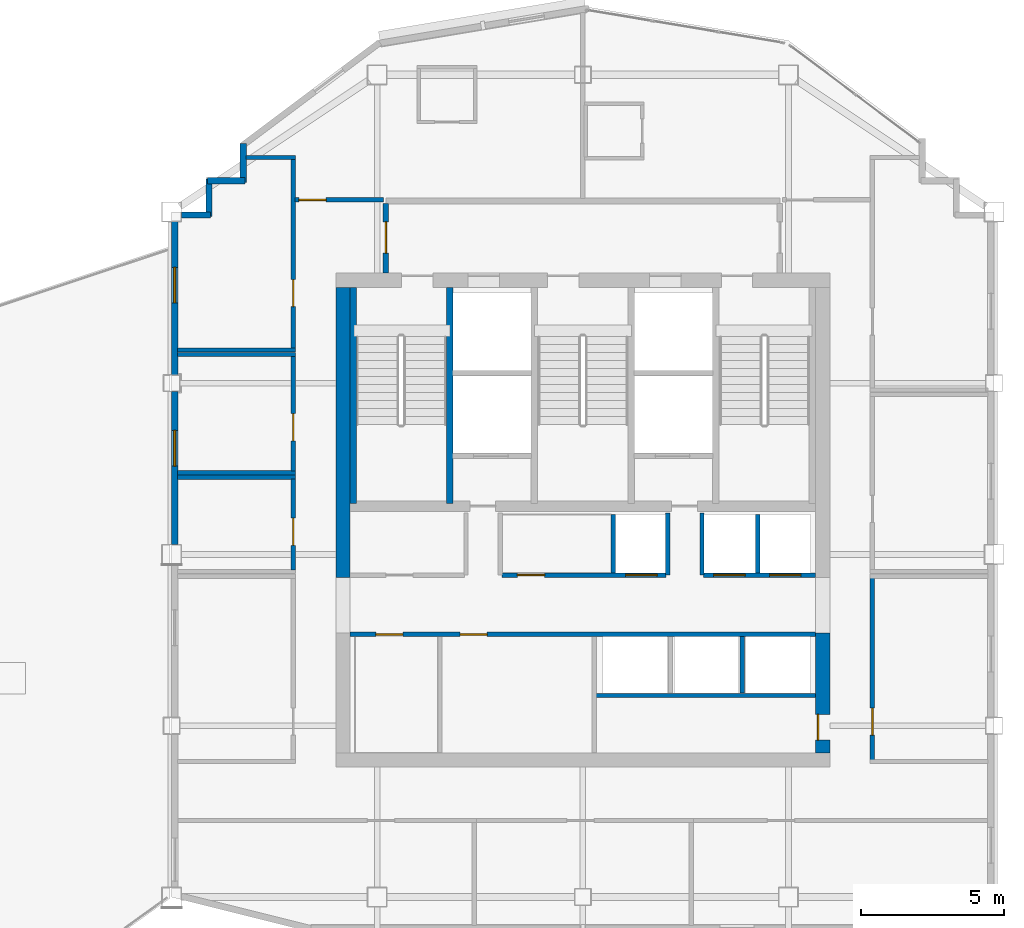
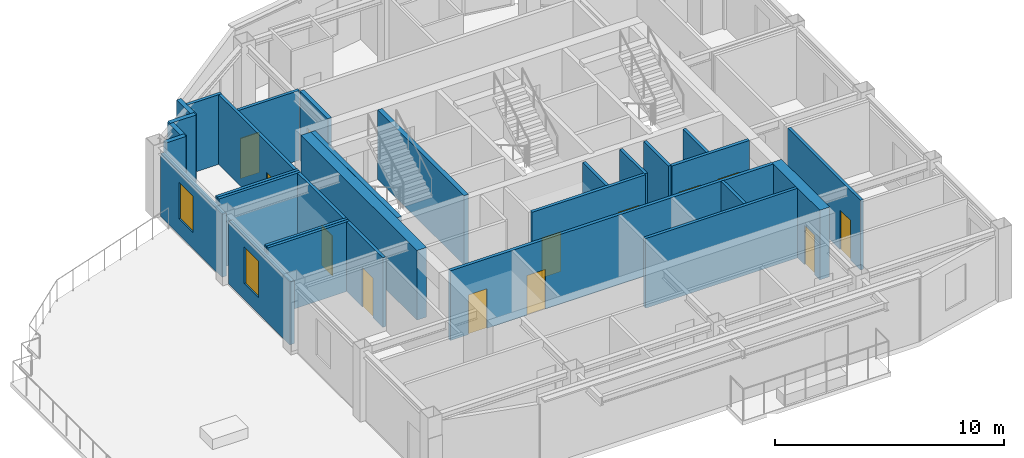
# One storey, part 8 of 12: 30 walls, 13 doors, 2 windows, 15 openings.
"""IFC4 building model written with IfcOpenShell, lengths in metres."""

import ifcopenshell
import ifcopenshell.guid

model = None  # the IFC model being written
_history = None  # IfcOwnerHistory: only IFC2X3 demands one
_inside = {}  # id of a spatial element -> (the spatial element, [elements in it])
_under = {}  # id of a project, library or spatial element -> (it, [spatial elements below it])
_declared = {}  # id of a project -> (the project, [libraries it declares])
_typed = {}  # id of a type object -> (the type object, [elements of that type])
_made_of = {}  # id of a material, layer set ... -> (it, [elements and type objects made of it])


def new_model(schema):
    """Start an empty IFC model of exactly this schema.

    Asked for "IFC4X3", IfcOpenShell would pick the latest addendum, in which some entities
    have other attributes; the version numbers below select the first issue.
    IFC2X3 requires an IfcOwnerHistory on every rooted entity: one is made here for all.
    """
    global model, _history
    if schema == "IFC4X3":
        model = ifcopenshell.file(schema_version=(4, 3, 0, 0))
    else:
        model = ifcopenshell.file(schema=schema)
    _inside.clear()
    _under.clear()
    _declared.clear()
    _typed.clear()
    _made_of.clear()
    _history = None
    if model.schema == "IFC2X3":
        org = make("IfcOrganization", Name="unknown")
        user = make(
            "IfcPersonAndOrganization",
            ThePerson=make("IfcPerson", FamilyName="unknown"),
            TheOrganization=org,
        )
        app = make(
            "IfcApplication",
            ApplicationDeveloper=org,
            Version="unknown",
            ApplicationFullName="unknown",
            ApplicationIdentifier="unknown",
        )
        _history = make(
            "IfcOwnerHistory",
            OwningUser=user,
            OwningApplication=app,
            ChangeAction="ADDED",
            CreationDate=0,
        )
    return model


def make(cls, **values):
    """One entity of the class cls with the attributes given. An attribute that is None is left unset."""
    return model.create_entity(
        cls, **{name: value for name, value in values.items() if value is not None}
    )


def rooted(cls, **values):
    """An entity with a GlobalId (a new one), such as an element, a storey or a relation."""
    return make(cls, GlobalId=ifcopenshell.guid.new(), OwnerHistory=_history, **values)


def si_unit(unit_type, name, prefix=None):
    """IfcSIUnit, for example si_unit("LENGTHUNIT", "METRE", prefix="MILLI")."""
    return make("IfcSIUnit", UnitType=unit_type, Prefix=prefix, Name=name)


def assignment(units):
    """IfcUnitAssignment: the units of a project."""
    return None if units is None else make("IfcUnitAssignment", Units=units)


def point(xyz):
    """IfcCartesianPoint."""
    return None if xyz is None else make("IfcCartesianPoint", Coordinates=xyz)


def direction(xyz):
    """IfcDirection."""
    return None if xyz is None else make("IfcDirection", DirectionRatios=xyz)


def frame(location, z_axis=None, x_axis=None):
    """IfcAxis2Placement3D, a coordinate frame: its origin and axes. An axis left out is left unset."""
    return make(
        "IfcAxis2Placement3D",
        Location=point(location),
        Axis=direction(z_axis),
        RefDirection=direction(x_axis),
    )


def frame_2d(location, x_axis=None):
    """IfcAxis2Placement2D, a coordinate frame in the plane: its origin and x axis."""
    return make(
        "IfcAxis2Placement2D", Location=point(location), RefDirection=direction(x_axis)
    )


def origin():
    """The frame at (0, 0, 0) with its axes left unset."""
    return frame((0.0, 0.0, 0.0))


def place(relative_to, where):
    """IfcLocalPlacement: puts the frame where relative to a parent placement (None: the world)."""
    return make(
        "IfcLocalPlacement", PlacementRelTo=relative_to, RelativePlacement=where
    )


def context(
    kind, dimensions, precision=None, world=None, true_north=None, identifier=None
):
    """IfcGeometricRepresentationContext, for example the 3D "Model" context."""
    return make(
        "IfcGeometricRepresentationContext",
        ContextIdentifier=identifier,
        ContextType=kind,
        CoordinateSpaceDimension=dimensions,
        Precision=precision,
        WorldCoordinateSystem=world,
        TrueNorth=true_north,
    )


def subcontext(parent, identifier, kind, view, scale=None):
    """IfcGeometricRepresentationSubContext, for example "Body" below "Model"."""
    return make(
        "IfcGeometricRepresentationSubContext",
        ContextIdentifier=identifier,
        ContextType=kind,
        ParentContext=parent,
        TargetScale=scale,
        TargetView=view,
    )


def project(units=None, contexts=None):
    """IfcProject with its units and contexts."""
    return rooted(
        "IfcProject",
        Name="project",
        RepresentationContexts=contexts,
        UnitsInContext=assignment(units),
    )


def spatial(cls, under=None, at=None, **own):
    """A site, building, storey or space (cls), placed at a placement, below another one or the project."""
    s = rooted(cls, ObjectPlacement=at, **own)
    if under is not None:
        _under.setdefault(under.id(), (under, []))[1].append(s)
    return s


def profile(cls, at=None, kind="AREA", **sizes):
    """A parametric profile (cls). Its sizes go by their IFC names, for example OverallWidth=200.0."""
    return make(cls, ProfileType=kind, Position=at, **sizes)


def rectangle(**sizes):
    """IfcRectangleProfileDef."""
    return profile("IfcRectangleProfileDef", **sizes)


def extrude(swept, where, along, depth):
    """IfcExtrudedAreaSolid: the profile swept, set in the frame where, extruded along a direction by depth."""
    return make(
        "IfcExtrudedAreaSolid",
        SweptArea=swept,
        Position=where,
        ExtrudedDirection=direction(along),
        Depth=depth,
    )


def shape(context_of_items, identifier, shape_type, items):
    """IfcShapeRepresentation: the items that make up one representation, for example the "Body"."""
    return make(
        "IfcShapeRepresentation",
        ContextOfItems=context_of_items,
        RepresentationIdentifier=identifier,
        RepresentationType=shape_type,
        Items=items,
    )


def material(Name=None, Category=None):
    """IfcMaterial."""
    return make("IfcMaterial", Name=Name, Category=Category)


def layer(
    of_material, thickness, ventilated=None, Name=None, Category=None, Priority=None
):
    """IfcMaterialLayer: one layer of a wall or slab, of a material (None: an air gap)."""
    return make(
        "IfcMaterialLayer",
        Material=of_material,
        LayerThickness=thickness,
        IsVentilated=ventilated,
        Name=Name,
        Category=Category,
        Priority=Priority,
    )


def layer_set(layers, Name=None):
    """IfcMaterialLayerSet."""
    return make("IfcMaterialLayerSet", MaterialLayers=layers, LayerSetName=Name)


def made_of(thing, what):
    """Note that an element or type object is made of a material, layer set ...; save() writes the relation."""
    if what is not None:
        _made_of.setdefault(what.id(), (what, []))[1].append(thing)
    return thing


def type_object(cls, material=None, **own):
    """A type object (cls), such as IfcWallType, which elements share."""
    return made_of(rooted(cls, **own), material)


def element(
    cls,
    number,
    at=None,
    inside=None,
    cuts=None,
    type_object=None,
    material=None,
    context=None,
    identifier="Body",
    shape_type=None,
    held_by="IfcProductDefinitionShape",
    body=None,
    shapes=None,
    **own,
):
    """One element of the class cls, such as IfcWall. Its Tag is "e" and its number.

    at: its placement. inside: the storey or other place that contains it. cuts: it is an
    opening in that element (IfcRelVoidsElement). A single representation is given by context,
    identifier, shape_type and body (its items); several are given by shapes. held_by: the class
    of the entity that holds the representations. save() writes the other relations.
    """
    e = rooted(cls, Tag="e%d" % number, ObjectPlacement=at, **own)
    if body is not None:
        shapes = [shape(context, identifier, shape_type, body)]
    if shapes is not None:
        e.Representation = make(held_by, Representations=shapes)
    if inside is not None:
        _inside.setdefault(inside.id(), (inside, []))[1].append(e)
    if cuts is not None:
        rooted(
            "IfcRelVoidsElement", RelatingBuildingElement=cuts, RelatedOpeningElement=e
        )
    if type_object is not None:
        _typed.setdefault(type_object.id(), (type_object, []))[1].append(e)
    return made_of(e, material)


def fill(opening, filler):
    """IfcRelFillsElement: the door or window that sits in an opening."""
    return rooted(
        "IfcRelFillsElement",
        RelatingOpeningElement=opening,
        RelatedBuildingElement=filler,
    )


def aggregate(whole, parts):
    """IfcRelAggregates: a whole, such as a stair, and the parts it consists of."""
    return rooted("IfcRelAggregates", RelatingObject=whole, RelatedObjects=parts)


def save(model, path):
    """Write the relations noted so far, then the file.

    IfcRelAggregates (storeys below a building ...), IfcRelContainedInSpatialStructure (elements
    in a storey), IfcRelDefinesByType, IfcRelAssociatesMaterial and IfcRelDeclares: one each for
    every whole, place, type object, material and project.
    """
    for whole, parts in _under.values():
        aggregate(whole, parts)
    for where, things in _inside.values():
        rooted(
            "IfcRelContainedInSpatialStructure",
            RelatedElements=things,
            RelatingStructure=where,
        )
    for kind, things in _typed.values():
        rooted("IfcRelDefinesByType", RelatedObjects=things, RelatingType=kind)
    for what, things in _made_of.values():
        rooted("IfcRelAssociatesMaterial", RelatedObjects=things, RelatingMaterial=what)
    for by, libraries in _declared.values():
        rooted("IfcRelDeclares", RelatingContext=by, RelatedDefinitions=libraries)
    model.write(path)


model = new_model("IFC4")

# Units and contexts
model_context = context("Model", 3, precision=1e-05, world=origin(), true_north=direction((0.0, 1.0)))
body_context = subcontext(model_context, "Body", "Model", "MODEL_VIEW")
ifc_project = project(units=[si_unit("LENGTHUNIT", "METRE"), si_unit("AREAUNIT", "SQUARE_METRE"), si_unit("VOLUMEUNIT", "CUBIC_METRE"), si_unit("PLANEANGLEUNIT", "RADIAN"), si_unit("MASSUNIT", "GRAM", prefix="KILO")], contexts=[model_context])

# Site, building, storey
site_placement = place(None, origin())
site = spatial("IfcSite", under=ifc_project, at=site_placement, CompositionType="ELEMENT")
building_placement = place(site_placement, origin())
building = spatial("IfcBuilding", under=site, at=building_placement, Name="Haolan Belvedere Tower", CompositionType="ELEMENT")
storey_placement = place(building_placement, frame((0.0, 0.0, 282.199951171875)))
storey = spatial("IfcBuildingStorey", under=building, at=storey_placement, Name="L71", CompositionType="ELEMENT", Elevation=282.199951171875)

# Wall
ifc_material_1 = material(Name="Concrete C50/60", Category="concrete")
ifc_layer_1 = layer(ifc_material_1, 0.5, Name="Concrete C50/60")
ifc_layer_set_1 = layer_set([ifc_layer_1], Name="Concrete C50/60")
wall_type_1 = type_object("IfcWallType", Name="WL-CORE-500", PredefinedType="SHEAR", material=ifc_layer_set_1)
wall_1_placement = place(storey_placement, frame((30.0, 32.800048828125, 0.0), z_axis=(0.0, 0.0, 1.0), x_axis=(0.0, 1.0, 0.0)))
element("IfcWall", 1, at=wall_1_placement, inside=storey, type_object=wall_type_1, Name="L71 central core shear wall WN", PredefinedType="SHEAR", context=body_context, shape_type="SweptSolid", body=[
    extrude(rectangle(XDim=10.14990234375, YDim=0.5, at=frame_2d((5.074951171875, 0.0))), origin(), (0.0, 0.0, 1.0), 3.719970703125),
])

# Wall, opening, door
wall_2_placement = place(storey_placement, frame((46.800048828125, 26.64990234375, 0.0), z_axis=(0.0, 0.0, 1.0), x_axis=(0.0, 1.0, 0.0)))
wall_2 = element("IfcWall", 2, at=wall_2_placement, inside=storey, type_object=wall_type_1, Name="L71 central core shear wall ES", PredefinedType="SHEAR", context=body_context, shape_type="SweptSolid", body=[
    extrude(rectangle(XDim=4.2001953125, YDim=0.5, at=frame_2d((2.10009765625, 0.0))), origin(), (0.0, 0.0, 1.0), 3.719970703125),
])
opening_1_placement = place(wall_2_placement, frame((1.349853515625, 0.0, 0.0), z_axis=(0.0, 0.0, 1.0), x_axis=(-1.0, 0.0, 0.0)))
opening_1 = element("IfcOpeningElement", 3, at=opening_1_placement, cuts=wall_2, Name="Opening FD-05", PredefinedType="OPENING", context=body_context, shape_type="SweptSolid", body=[
    extrude(rectangle(XDim=0.89990234375, YDim=2.10009765625, at=frame_2d((0.449951171875, 1.050048828125))), frame((0.0, 0.260009765625, 0.0), z_axis=(0.0, -1.0, 0.0), x_axis=(1.0, 0.0, 0.0)), (0.0, 0.0, 1.0), 0.52001953125),
])
ifc_material_2 = material(Name="Galvanised fire-rated steel", Category="steel")
door_type_1 = type_object("IfcDoorType", Name="DR-FD60-900", OperationType="NOTDEFINED", PredefinedType="DOOR", material=ifc_material_2)
door_1_placement = place(opening_1_placement, origin())
door_1 = element("IfcDoor", 4, at=door_1_placement, inside=storey, type_object=door_type_1, Name="L71 door CD-L71-SCVE", OperationType="SINGLE_SWING_RIGHT", OverallHeight=2.10009765625, OverallWidth=0.89990234375, PredefinedType="DOOR", context=body_context, shape_type="SweptSolid", body=[
    extrude(rectangle(XDim=0.89990234375, YDim=2.10009765625, at=frame_2d((0.449951171875, 1.050048828125))), frame((0.0, -0.134765625, 0.0), z_axis=(0.0, -1.0, 0.0), x_axis=(1.0, 0.0, 0.0)), (0.0, 0.0, 1.0), 0.050048828125),
])
fill(opening_1, door_1)

# Walls
ifc_material_3 = material(Name="Precast concrete C40/50", Category="concrete")
ifc_layer_2 = layer(ifc_material_3, 0.219970703125, Name="Precast concrete C40/50")
ifc_layer_set_2 = layer_set([ifc_layer_2], Name="Precast concrete C40/50")
wall_type_2 = type_object("IfcWallType", Name="WL-EXT-220", PredefinedType="SOLIDWALL", material=ifc_layer_set_2)
wall_3_placement = place(storey_placement, frame((26.510009765625, 48.0, 0.0), z_axis=(0.0, 0.0, 1.0), x_axis=(0.0, -1.0, 0.0)))
element("IfcWall", 5, at=wall_3_placement, inside=storey, type_object=wall_type_2, Name="L71 pale-metal exterior spandrel wall 12.1", PredefinedType="SOLIDWALL", context=body_context, shape_type="SweptSolid", body=[
    extrude(rectangle(XDim=1.364990234375, YDim=0.219970703125, at=frame_2d((0.6826171875, 0.0))), origin(), (0.0, 0.0, 1.0), 3.719970703125),
])
for number, where, z_axis, x_axis, name in (
    (6, (26.56494140625, 46.68994140625, 0.0), (0.0, 0.0, 1.0), (-1.0, 0.0, 0.0), "L71 pale-metal exterior spandrel wall 13.1"),
    (7, (25.31005859375, 46.7451171875, 0.0), (0.0, 0.0, 1.0), (0.0, -1.0, 0.0), "L71 pale-metal exterior spandrel wall 14.1"),
):
    element("IfcWall", number, at=place(storey_placement, frame(where, z_axis=z_axis, x_axis=x_axis)), inside=storey, type_object=wall_type_2, Name=name, PredefinedType="SOLIDWALL", context=body_context, shape_type="SweptSolid", body=[
        extrude(rectangle(XDim=1.31005859375, YDim=0.219970703125, at=frame_2d((0.655029296875, 0.0))), origin(), (0.0, 0.0, 1.0), 3.719970703125),
    ])
wall_4_placement = place(storey_placement, frame((25.364990234375, 45.489990234375, 0.0), z_axis=(0.0, 0.0, 1.0), x_axis=(-1.0, 0.0, 0.0)))
element("IfcWall", 8, at=wall_4_placement, inside=storey, type_object=wall_type_2, Name="L71 pale-metal exterior spandrel wall 15.1", PredefinedType="SOLIDWALL", context=body_context, shape_type="SweptSolid", body=[
    extrude(rectangle(XDim=1.02294921875, YDim=0.219970703125, at=frame_2d((0.511474609375, 0.0))), origin(), (0.0, 0.0, 1.0), 3.719970703125),
])

# Wall, opening, window
wall_5_placement = place(storey_placement, frame((24.110107421875, 45.258056640625, 0.0), z_axis=(0.0, 0.0, 1.0), x_axis=(0.0, -1.0, 0.0)))
wall_5 = element("IfcWall", 9, at=wall_5_placement, inside=storey, type_object=wall_type_2, Name="L71 pale-metal exterior spandrel wall 16.1", PredefinedType="SOLIDWALL", context=body_context, shape_type="SweptSolid", body=[
    extrude(rectangle(XDim=5.365966796875, YDim=0.219970703125, at=frame_2d((2.68310546875, 0.0))), origin(), (0.0, 0.0, 1.0), 3.364990234375),
])
opening_2_placement = place(wall_5_placement, frame((1.60009765625, 0.0, 0.85009765625)))
opening_2 = element("IfcOpeningElement", 10, at=opening_2_placement, cuts=wall_5, Name="Opening W-04", PredefinedType="OPENING", context=body_context, shape_type="SweptSolid", body=[
    extrude(rectangle(XDim=1.25, YDim=1.949951171875, at=frame_2d((0.625, 0.97509765625))), frame((0.0, 0.119873046875, 0.0), z_axis=(0.0, -1.0, 0.0), x_axis=(1.0, 0.0, 0.0)), (0.0, 0.0, 1.0), 0.239990234375),
])
ifc_material_4 = material(Name="Anodised aluminium 6063-T6 and Low-E glass", Category="aluminium")
window_type = type_object("IfcWindowType", Name="WN-DECO-Z4", PartitioningType="SINGLE_PANEL", PredefinedType="WINDOW", material=ifc_material_4)
window_1_placement = place(opening_2_placement, origin())
window_1 = element("IfcWindow", 11, at=window_1_placement, inside=storey, type_object=window_type, Name="L71 Art Deco chevron window 1", OverallHeight=1.949951171875, OverallWidth=1.25, PartitioningType="SINGLE_PANEL", PredefinedType="WINDOW", context=body_context, shape_type="SweptSolid", body=[
    extrude(rectangle(XDim=1.25, YDim=1.949951171875, at=frame_2d((0.625, 0.97509765625))), frame((0.0, 0.030029296875, 0.0), z_axis=(0.0, -1.0, 0.0), x_axis=(1.0, 0.0, 0.0)), (0.0, 0.0, 1.0), 0.06005859375),
])
fill(opening_2, window_1)

wall_6_placement = place(storey_placement, frame((24.110107421875, 39.30810546875, 0.0), z_axis=(0.0, 0.0, 1.0), x_axis=(0.0, -1.0, 0.0)))
wall_6 = element("IfcWall", 12, at=wall_6_placement, inside=storey, type_object=wall_type_2, Name="L71 pale-metal exterior spandrel wall 16.2", PredefinedType="SOLIDWALL", context=body_context, shape_type="SweptSolid", body=[
    extrude(rectangle(XDim=5.3662109375, YDim=0.219970703125, at=frame_2d((2.68310546875, 0.0))), origin(), (0.0, 0.0, 1.0), 3.364990234375),
])
opening_3_placement = place(wall_6_placement, frame((1.363037109375, 0.0, 0.85009765625)))
opening_3 = element("IfcOpeningElement", 13, at=opening_3_placement, cuts=wall_6, Name="Opening W-04", PredefinedType="OPENING", context=body_context, shape_type="SweptSolid", body=[
    extrude(rectangle(XDim=1.25, YDim=1.949951171875, at=frame_2d((0.625, 0.97509765625))), frame((0.0, 0.119873046875, 0.0), z_axis=(0.0, -1.0, 0.0), x_axis=(1.0, 0.0, 0.0)), (0.0, 0.0, 1.0), 0.239990234375),
])
window_2_placement = place(opening_3_placement, origin())
window_2 = element("IfcWindow", 14, at=window_2_placement, inside=storey, type_object=window_type, Name="L71 Art Deco chevron window 1", OverallHeight=1.949951171875, OverallWidth=1.25, PartitioningType="SINGLE_PANEL", PredefinedType="WINDOW", context=body_context, shape_type="SweptSolid", body=[
    extrude(rectangle(XDim=1.25, YDim=1.949951171875, at=frame_2d((0.625, 0.97509765625))), frame((0.0, 0.030029296875, 0.0), z_axis=(0.0, -1.0, 0.0), x_axis=(1.0, 0.0, 0.0)), (0.0, 0.0, 1.0), 0.06005859375),
])
fill(opening_3, window_2)

# Wall, opening, door
ifc_material_5 = material(Name="Concrete C40/50", Category="concrete")
ifc_layer_3 = layer(ifc_material_5, 0.199951171875, Name="Concrete C40/50")
ifc_layer_set_3 = layer_set([ifc_layer_3], Name="Concrete C40/50")
wall_type_3 = type_object("IfcWallType", Name="WL-FIRE-200", PredefinedType="SOLIDWALL", material=ifc_layer_set_3)
wall_7_placement = place(storey_placement, frame((31.5, 43.449951171875, 0.0), z_axis=(0.0, 0.0, 1.0), x_axis=(0.0, 1.0, 0.0)))
wall_7 = element("IfcWall", 15, at=wall_7_placement, inside=storey, type_object=wall_type_3, Name="L71 interior partition IW-L71-FFL-W", PredefinedType="SOLIDWALL", context=body_context, shape_type="SweptSolid", body=[
    extrude(rectangle(XDim=2.445068359375, YDim=0.199951171875, at=frame_2d((1.22265625, 0.0))), origin(), (0.0, 0.0, 1.0), 3.719970703125),
])
opening_4_placement = place(wall_7_placement, frame((1.800048828125, 0.0, 0.0), z_axis=(0.0, 0.0, 1.0), x_axis=(-1.0, 0.0, 0.0)))
opening_4 = element("IfcOpeningElement", 16, at=opening_4_placement, cuts=wall_7, Name="Opening FD-03", PredefinedType="OPENING", context=body_context, shape_type="SweptSolid", body=[
    extrude(rectangle(XDim=1.10009765625, YDim=2.14990234375, at=frame_2d((0.550048828125, 1.074951171875))), frame((0.0, 0.10986328125, 0.0), z_axis=(0.0, -1.0, 0.0), x_axis=(1.0, 0.0, 0.0)), (0.0, 0.0, 1.0), 0.219970703125),
])
door_type_2 = type_object("IfcDoorType", Name="DR-FD90-1100", OperationType="NOTDEFINED", PredefinedType="DOOR", material=ifc_material_2)
door_2_placement = place(opening_4_placement, origin())
door_2 = element("IfcDoor", 17, at=door_2_placement, inside=storey, type_object=door_type_2, Name="L71 door ID-L71-FFL-DW", OperationType="SINGLE_SWING_LEFT", OverallHeight=2.14990234375, OverallWidth=1.10009765625, PredefinedType="DOOR", context=body_context, shape_type="SweptSolid", body=[
    extrude(rectangle(XDim=1.10009765625, YDim=2.14990234375, at=frame_2d((0.550048828125, 1.074951171875))), frame((0.0, 0.02490234375, 0.0), z_axis=(0.0, -1.0, 0.0), x_axis=(1.0, 0.0, 0.0)), (0.0, 0.0, 1.0), 0.050048828125),
])
fill(opening_4, door_2)

# Walls
ifc_material_6 = material(Name="Double gypsum acoustic stud partition", Category="masonry")
ifc_layer_4 = layer(ifc_material_6, 0.14990234375, Name="Double gypsum acoustic stud partition")
ifc_layer_set_4 = layer_set([ifc_layer_4], Name="Double gypsum acoustic stud partition")
wall_type_4 = type_object("IfcWallType", Name="WL-PART-150", PredefinedType="PARTITIONING", material=ifc_layer_set_4)
wall_8_placement = place(storey_placement, frame((38.860107421875, 28.659912109375, 0.0), z_axis=(0.0, 0.0, 1.0), x_axis=(1.0, 0.0, 0.0)))
element("IfcWall", 18, at=wall_8_placement, inside=storey, type_object=wall_type_4, Name="L71 interior partition IW-L71-SSTRIP-E", PredefinedType="PARTITIONING", context=body_context, shape_type="SweptSolid", body=[
    extrude(rectangle(XDim=7.68994140625, YDim=0.14990234375, at=frame_2d((3.844970703125, 0.0))), origin(), (0.0, 0.0, 1.0), 3.719970703125),
])
wall_9_placement = place(storey_placement, frame((24.2119140625, 36.300048828125, 0.0), z_axis=(0.0, 0.0, 1.0), x_axis=(1.0, 0.0, 0.0)))
element("IfcWall", 19, at=wall_9_placement, inside=storey, type_object=wall_type_4, Name="L71 interior partition IW-L71-AWC-N", PredefinedType="PARTITIONING", context=body_context, shape_type="SweptSolid", body=[
    extrude(rectangle(XDim=4.128173828125, YDim=0.14990234375, at=frame_2d((2.06396484375, 0.0))), origin(), (0.0, 0.0, 1.0), 3.719970703125),
])

# Wall, opening, door
wall_10_placement = place(storey_placement, frame((28.260009765625, 33.06005859375, 0.0), z_axis=(0.0, 0.0, 1.0), x_axis=(0.0, 1.0, 0.0)))
wall_10 = element("IfcWall", 20, at=wall_10_placement, inside=storey, type_object=wall_type_4, Name="L71 interior partition IW-L71-AWC-E", PredefinedType="PARTITIONING", context=body_context, shape_type="SweptSolid", body=[
    extrude(rectangle(XDim=3.179931640625, YDim=0.14990234375, at=frame_2d((1.58984375, 0.0))), origin(), (0.0, 0.0, 1.0), 3.719970703125),
])
opening_5_placement = place(wall_10_placement, frame((1.81005859375, 0.0, 0.0), z_axis=(0.0, 0.0, 1.0), x_axis=(-1.0, 0.0, 0.0)))
opening_5 = element("IfcOpeningElement", 21, at=opening_5_placement, cuts=wall_10, Name="Opening ID-03", PredefinedType="OPENING", context=body_context, shape_type="SweptSolid", body=[
    extrude(rectangle(XDim=0.949951171875, YDim=2.1201171875, at=frame_2d((0.47509765625, 1.06005859375))), frame((0.0, 0.0849609375, 0.0), z_axis=(0.0, -1.0, 0.0), x_axis=(1.0, 0.0, 0.0)), (0.0, 0.0, 1.0), 0.169921875),
])
ifc_material_7 = material(Name="Painted solid-core timber", Category="wood")
door_type_3 = type_object("IfcDoorType", Name="DR-INT-950", OperationType="NOTDEFINED", PredefinedType="DOOR", material=ifc_material_7)
door_3_placement = place(opening_5_placement, origin())
door_3 = element("IfcDoor", 22, at=door_3_placement, inside=storey, type_object=door_type_3, Name="L71 door ID-L71-AWC", OperationType="SINGLE_SWING_LEFT", OverallHeight=2.1201171875, OverallWidth=0.949951171875, PredefinedType="DOOR", context=body_context, shape_type="SweptSolid", body=[
    extrude(rectangle(XDim=0.949951171875, YDim=2.1201171875, at=frame_2d((0.47509765625, 1.06005859375))), frame((0.0, 0.02490234375, 0.0), z_axis=(0.0, -1.0, 0.0), x_axis=(1.0, 0.0, 0.0)), (0.0, 0.0, 1.0), 0.050048828125),
])
fill(opening_5, door_3)

# Walls
for number, where, z_axis, x_axis, name in (
    (23, (24.2119140625, 40.60009765625, 0.0), (0.0, 0.0, 1.0), (1.0, 0.0, 0.0), "L71 interior partition IW-L71-PNT-N"),
    (24, (24.2119140625, 36.4599609375, 0.0), (0.0, 0.0, 1.0), (1.0, 0.0, 0.0), "L71 interior partition IW-L71-PNT-S"),
):
    element("IfcWall", number, at=place(storey_placement, frame(where, z_axis=z_axis, x_axis=x_axis)), inside=storey, type_object=wall_type_4, Name=name, PredefinedType="PARTITIONING", context=body_context, shape_type="SweptSolid", body=[
        extrude(rectangle(XDim=4.128173828125, YDim=0.14990234375, at=frame_2d((2.06396484375, 0.0))), origin(), (0.0, 0.0, 1.0), 3.719970703125),
    ])

# Wall, opening, door
wall_11_placement = place(storey_placement, frame((28.260009765625, 36.52001953125, 0.0), z_axis=(0.0, 0.0, 1.0), x_axis=(0.0, 1.0, 0.0)))
wall_11 = element("IfcWall", 25, at=wall_11_placement, inside=storey, type_object=wall_type_4, Name="L71 interior partition IW-L71-PNT-E", PredefinedType="PARTITIONING", context=body_context, shape_type="SweptSolid", body=[
    extrude(rectangle(XDim=4.02001953125, YDim=0.14990234375, at=frame_2d((2.010009765625, 0.0))), origin(), (0.0, 0.0, 1.0), 3.719970703125),
])
opening_6_placement = place(wall_11_placement, frame((2.010009765625, 0.0, 0.0), z_axis=(0.0, 0.0, 1.0), x_axis=(-1.0, 0.0, 0.0)))
opening_6 = element("IfcOpeningElement", 26, at=opening_6_placement, cuts=wall_11, Name="Opening ID-03", PredefinedType="OPENING", context=body_context, shape_type="SweptSolid", body=[
    extrude(rectangle(XDim=0.949951171875, YDim=2.1201171875, at=frame_2d((0.47509765625, 1.06005859375))), frame((0.0, 0.0849609375, 0.0), z_axis=(0.0, -1.0, 0.0), x_axis=(1.0, 0.0, 0.0)), (0.0, 0.0, 1.0), 0.169921875),
])
door_4_placement = place(opening_6_placement, origin())
door_4 = element("IfcDoor", 27, at=door_4_placement, inside=storey, type_object=door_type_3, Name="L71 door ID-L71-PNT", OperationType="SINGLE_SWING_RIGHT", OverallHeight=2.1201171875, OverallWidth=0.949951171875, PredefinedType="DOOR", context=body_context, shape_type="SweptSolid", body=[
    extrude(rectangle(XDim=0.949951171875, YDim=2.1201171875, at=frame_2d((0.47509765625, 1.06005859375))), frame((0.0, 0.02490234375, 0.0), z_axis=(0.0, -1.0, 0.0), x_axis=(1.0, 0.0, 0.0)), (0.0, 0.0, 1.0), 0.050048828125),
])
fill(opening_6, door_4)

# Walls
wall_12_placement = place(storey_placement, frame((26.612060546875, 47.5, 0.0), z_axis=(0.0, 0.0, 1.0), x_axis=(1.0, 0.0, 0.0)))
element("IfcWall", 28, at=wall_12_placement, inside=storey, type_object=wall_type_4, Name="L71 interior partition IW-L71-STY-N", PredefinedType="PARTITIONING", context=body_context, shape_type="SweptSolid", body=[
    extrude(rectangle(XDim=1.72802734375, YDim=0.14990234375, at=frame_2d((0.864013671875, 0.0))), origin(), (0.0, 0.0, 1.0), 3.719970703125),
])
wall_13_placement = place(storey_placement, frame((24.2119140625, 40.760009765625, 0.0), z_axis=(0.0, 0.0, 1.0), x_axis=(1.0, 0.0, 0.0)))
element("IfcWall", 29, at=wall_13_placement, inside=storey, type_object=wall_type_4, Name="L71 interior partition IW-L71-STY-S", PredefinedType="PARTITIONING", context=body_context, shape_type="SweptSolid", body=[
    extrude(rectangle(XDim=4.128173828125, YDim=0.14990234375, at=frame_2d((2.06396484375, 0.0))), origin(), (0.0, 0.0, 1.0), 3.719970703125),
])

# Wall, opening, door
wall_14_placement = place(storey_placement, frame((28.260009765625, 40.820068359375, 0.0), z_axis=(0.0, 0.0, 1.0), x_axis=(0.0, 1.0, 0.0)))
wall_14 = element("IfcWall", 30, at=wall_14_placement, inside=storey, type_object=wall_type_4, Name="L71 interior partition IW-L71-STY-E", PredefinedType="PARTITIONING", context=body_context, shape_type="SweptSolid", body=[
    extrude(rectangle(XDim=6.619873046875, YDim=0.14990234375, at=frame_2d((3.31005859375, 0.0))), origin(), (0.0, 0.0, 1.0), 3.719970703125),
])
opening_7_placement = place(wall_14_placement, frame((2.409912109375, 0.0, 0.0), z_axis=(0.0, 0.0, 1.0), x_axis=(-1.0, 0.0, 0.0)))
opening_7 = element("IfcOpeningElement", 31, at=opening_7_placement, cuts=wall_14, Name="Opening ID-03", PredefinedType="OPENING", context=body_context, shape_type="SweptSolid", body=[
    extrude(rectangle(XDim=0.949951171875, YDim=2.1201171875, at=frame_2d((0.47509765625, 1.06005859375))), frame((0.0, 0.0849609375, 0.0), z_axis=(0.0, -1.0, 0.0), x_axis=(1.0, 0.0, 0.0)), (0.0, 0.0, 1.0), 0.169921875),
])
door_5_placement = place(opening_7_placement, origin())
door_5 = element("IfcDoor", 32, at=door_5_placement, inside=storey, type_object=door_type_3, Name="L71 door ID-L71-STY", OperationType="SINGLE_SWING_LEFT", OverallHeight=2.1201171875, OverallWidth=0.949951171875, PredefinedType="DOOR", context=body_context, shape_type="SweptSolid", body=[
    extrude(rectangle(XDim=0.949951171875, YDim=2.1201171875, at=frame_2d((0.47509765625, 1.06005859375))), frame((0.0, 0.02490234375, 0.0), z_axis=(0.0, -1.0, 0.0), x_axis=(1.0, 0.0, 0.0)), (0.0, 0.0, 1.0), 0.050048828125),
])
fill(opening_7, door_5)

wall_15_placement = place(storey_placement, frame((48.5400390625, 26.409912109375, 0.0), z_axis=(0.0, 0.0, 1.0), x_axis=(0.0, 1.0, 0.0)))
wall_15 = element("IfcWall", 33, at=wall_15_placement, inside=storey, type_object=wall_type_4, Name="L71 interior partition IW-L71-PKTE-W", PredefinedType="PARTITIONING", context=body_context, shape_type="SweptSolid", body=[
    extrude(rectangle(XDim=6.3701171875, YDim=0.14990234375, at=frame_2d((3.18505859375, 0.0))), origin(), (0.0, 0.0, 1.0), 3.719970703125),
])
opening_8_placement = place(wall_15_placement, frame((0.860107421875, 0.0, 0.0)))
opening_8 = element("IfcOpeningElement", 34, at=opening_8_placement, cuts=wall_15, Name="Opening ID-03", PredefinedType="OPENING", context=body_context, shape_type="SweptSolid", body=[
    extrude(rectangle(XDim=0.949951171875, YDim=2.1201171875, at=frame_2d((0.47509765625, 1.06005859375))), frame((0.0, 0.0849609375, 0.0), z_axis=(0.0, -1.0, 0.0), x_axis=(1.0, 0.0, 0.0)), (0.0, 0.0, 1.0), 0.169921875),
])
door_6_placement = place(opening_8_placement, origin())
door_6 = element("IfcDoor", 35, at=door_6_placement, inside=storey, type_object=door_type_3, Name="L71 door ID-L71-PKTE", OperationType="SINGLE_SWING_RIGHT", OverallHeight=2.1201171875, OverallWidth=0.949951171875, PredefinedType="DOOR", context=body_context, shape_type="SweptSolid", body=[
    extrude(rectangle(XDim=0.949951171875, YDim=2.1201171875, at=frame_2d((0.47509765625, 1.06005859375))), frame((0.0, 0.02490234375, 0.0), z_axis=(0.0, -1.0, 0.0), x_axis=(1.0, 0.0, 0.0)), (0.0, 0.0, 1.0), 0.050048828125),
])
fill(opening_8, door_6)

wall_16_placement = place(storey_placement, frame((28.320068359375, 46.02001953125, 0.0), z_axis=(0.0, 0.0, 1.0), x_axis=(1.0, 0.0, 0.0)))
wall_16 = element("IfcWall", 36, at=wall_16_placement, inside=storey, type_object=wall_type_4, Name="L71 interior partition IW-L71-KN1-S", PredefinedType="PARTITIONING", context=body_context, shape_type="SweptSolid", body=[
    extrude(rectangle(XDim=3.094970703125, YDim=0.14990234375, at=frame_2d((1.54736328125, 0.0))), origin(), (0.0, 0.0, 1.0), 3.719970703125),
])
opening_9_placement = place(wall_16_placement, frame((0.139892578125, 0.0, 0.0)))
opening_9 = element("IfcOpeningElement", 37, at=opening_9_placement, cuts=wall_16, Name="Opening ID-02", PredefinedType="OPENING", context=body_context, shape_type="SweptSolid", body=[
    extrude(rectangle(XDim=0.949951171875, YDim=2.14990234375, at=frame_2d((0.47509765625, 1.074951171875))), frame((0.0, 0.0849609375, 0.0), z_axis=(0.0, -1.0, 0.0), x_axis=(1.0, 0.0, 0.0)), (0.0, 0.0, 1.0), 0.169921875),
])
ifc_material_8 = material(Name="Acoustic oak veneer fire-rated timber", Category="wood")
door_type_4 = type_object("IfcDoorType", Name="DR-GUEST-950", OperationType="NOTDEFINED", PredefinedType="DOOR", material=ifc_material_8)
door_7_placement = place(opening_9_placement, origin())
door_7 = element("IfcDoor", 38, at=door_7_placement, inside=storey, type_object=door_type_4, Name="L71 door ID-L71-KN1-ENT", OperationType="SINGLE_SWING_RIGHT", OverallHeight=2.14990234375, OverallWidth=0.949951171875, PredefinedType="DOOR", context=body_context, shape_type="SweptSolid", body=[
    extrude(rectangle(XDim=0.949951171875, YDim=2.14990234375, at=frame_2d((0.47509765625, 1.074951171875))), frame((0.0, 0.02490234375, 0.0), z_axis=(0.0, -1.0, 0.0), x_axis=(1.0, 0.0, 0.0)), (0.0, 0.0, 1.0), 0.050048828125),
])
fill(opening_9, door_7)

# Walls
ifc_material_9 = material(Name="Gypsum fire shaftwall assembly", Category="masonry")
ifc_layer_5 = layer(ifc_material_9, 0.1650390625, Name="Gypsum fire shaftwall assembly")
ifc_layer_set_5 = layer_set([ifc_layer_5], Name="Gypsum fire shaftwall assembly")
wall_type_5 = type_object("IfcWallType", Name="WL-SHAFT-160", PredefinedType="SOLIDWALL", material=ifc_layer_set_5)
for number, where, z_axis, x_axis, name in (
    (39, (41.3701171875, 32.8798828125, 0.0), (0.0, 0.0, 1.0), (0.0, 1.0, 0.0), "L71 interior partition IW-L71-SVP-W-SV2"),
    (40, (42.570068359375, 32.8798828125, 0.0), (0.0, 0.0, 1.0), (0.0, 1.0, 0.0), "L71 interior partition IW-L71-SVP-E-SV2"),
):
    element("IfcWall", number, at=place(storey_placement, frame(where, z_axis=z_axis, x_axis=x_axis)), inside=storey, type_object=wall_type_5, Name=name, PredefinedType="SOLIDWALL", context=body_context, shape_type="SweptSolid", body=[
        extrude(rectangle(XDim=2.170166015625, YDim=0.14990234375, at=frame_2d((1.0849609375, 0.0))), origin(), (0.0, 0.0, 1.0), 3.719970703125),
    ])

# Wall, openings, doors
wall_17_placement = place(storey_placement, frame((35.570068359375, 32.8798828125, 0.0), z_axis=(0.0, 0.0, 1.0), x_axis=(1.0, 0.0, 0.0)))
wall_17 = element("IfcWall", 41, at=wall_17_placement, inside=storey, type_object=wall_type_5, Name="L71 interior partition IW-L71-ROW-PN2", PredefinedType="SOLIDWALL", context=body_context, shape_type="SweptSolid", body=[
    extrude(rectangle(XDim=5.739990234375, YDim=0.159912109375, at=frame_2d((2.8701171875, 0.0))), origin(), (0.0, 0.0, 1.0), 3.719970703125),
])
opening_10_placement = place(wall_17_placement, frame((1.489990234375, 0.0, 0.0), z_axis=(0.0, 0.0, 1.0), x_axis=(-1.0, 0.0, 0.0)))
opening_10 = element("IfcOpeningElement", 42, at=opening_10_placement, cuts=wall_17, Name="Opening ID-03", PredefinedType="OPENING", context=body_context, shape_type="SweptSolid", body=[
    extrude(rectangle(XDim=0.949951171875, YDim=2.1201171875, at=frame_2d((0.47509765625, 1.06005859375))), frame((0.0, 0.08984375, 0.0), z_axis=(0.0, -1.0, 0.0), x_axis=(1.0, 0.0, 0.0)), (0.0, 0.0, 1.0), 0.179931640625),
])
opening_11_placement = place(wall_17_placement, frame((5.43017578125, 0.0, 0.0), z_axis=(0.0, 0.0, 1.0), x_axis=(-1.0, 0.0, 0.0)))
opening_11 = element("IfcOpeningElement", 43, at=opening_11_placement, cuts=wall_17, Name="Opening LD-01", PredefinedType="OPENING", context=body_context, shape_type="SweptSolid", body=[
    extrude(rectangle(XDim=1.10009765625, YDim=2.199951171875, at=frame_2d((0.550048828125, 1.10009765625))), frame((0.0, 0.08984375, 0.0), z_axis=(0.0, -1.0, 0.0), x_axis=(1.0, 0.0, 0.0)), (0.0, 0.0, 1.0), 0.179931640625),
])
door_8_placement = place(opening_10_placement, origin())
door_8 = element("IfcDoor", 44, at=door_8_placement, inside=storey, type_object=door_type_3, Name="L71 door ID-L71-CD-RPLE", OperationType="SINGLE_SWING_RIGHT", OverallHeight=2.1201171875, OverallWidth=0.949951171875, PredefinedType="DOOR", context=body_context, shape_type="SweptSolid", body=[
    extrude(rectangle(XDim=0.949951171875, YDim=2.1201171875, at=frame_2d((0.47509765625, 1.06005859375))), frame((0.0, 0.02490234375, 0.0), z_axis=(0.0, -1.0, 0.0), x_axis=(1.0, 0.0, 0.0)), (0.0, 0.0, 1.0), 0.050048828125),
])
fill(opening_10, door_8)
ifc_material_10 = material(Name="Brushed champagne stainless steel 316L", Category="steel")
door_type_5 = type_object("IfcDoorType", Name="DR-LIFT-1100", OperationType="SLIDING_TO_LEFT", PredefinedType="DOOR", material=ifc_material_10)
door_9_placement = place(opening_11_placement, origin())
door_9 = element("IfcDoor", 45, at=door_9_placement, inside=storey, type_object=door_type_5, Name="L71 door ID-L71-LD-PH1", OperationType="SLIDING_TO_RIGHT", OverallHeight=2.199951171875, OverallWidth=1.10009765625, PredefinedType="DOOR", context=body_context, shape_type="SweptSolid", body=[
    extrude(rectangle(XDim=1.10009765625, YDim=2.199951171875, at=frame_2d((0.550048828125, 1.10009765625))), frame((0.0, 0.02490234375, 0.0), z_axis=(0.0, -1.0, 0.0), x_axis=(1.0, 0.0, 0.0)), (0.0, 0.0, 1.0), 0.050048828125),
])
fill(opening_11, door_9)

wall_18_placement = place(storey_placement, frame((42.6298828125, 32.8798828125, 0.0), z_axis=(0.0, 0.0, 1.0), x_axis=(1.0, 0.0, 0.0)))
wall_18 = element("IfcWall", 46, at=wall_18_placement, inside=storey, type_object=wall_type_5, Name="L71 interior partition IW-L71-ROW-PN3", PredefinedType="SOLIDWALL", context=body_context, shape_type="SweptSolid", body=[
    extrude(rectangle(XDim=3.920166015625, YDim=0.159912109375, at=frame_2d((1.9599609375, 0.0))), origin(), (0.0, 0.0, 1.0), 3.719970703125),
])
opening_12_placement = place(wall_18_placement, frame((1.4501953125, 0.0, 0.0), z_axis=(0.0, 0.0, 1.0), x_axis=(-1.0, 0.0, 0.0)))
opening_12 = element("IfcOpeningElement", 47, at=opening_12_placement, cuts=wall_18, Name="Opening LD-01", PredefinedType="OPENING", context=body_context, shape_type="SweptSolid", body=[
    extrude(rectangle(XDim=1.10009765625, YDim=2.199951171875, at=frame_2d((0.550048828125, 1.10009765625))), frame((0.0, 0.08984375, 0.0), z_axis=(0.0, -1.0, 0.0), x_axis=(1.0, 0.0, 0.0)), (0.0, 0.0, 1.0), 0.179931640625),
])
opening_13_placement = place(wall_18_placement, frame((3.41015625, 0.0, 0.0), z_axis=(0.0, 0.0, 1.0), x_axis=(-1.0, 0.0, 0.0)))
opening_13 = element("IfcOpeningElement", 48, at=opening_13_placement, cuts=wall_18, Name="Opening LD-01", PredefinedType="OPENING", context=body_context, shape_type="SweptSolid", body=[
    extrude(rectangle(XDim=1.10009765625, YDim=2.199951171875, at=frame_2d((0.550048828125, 1.10009765625))), frame((0.0, 0.08984375, 0.0), z_axis=(0.0, -1.0, 0.0), x_axis=(1.0, 0.0, 0.0)), (0.0, 0.0, 1.0), 0.179931640625),
])
door_10_placement = place(opening_12_placement, origin())
door_10 = element("IfcDoor", 49, at=door_10_placement, inside=storey, type_object=door_type_5, Name="L71 door ID-L71-LD-PH2", OperationType="SLIDING_TO_RIGHT", OverallHeight=2.199951171875, OverallWidth=1.10009765625, PredefinedType="DOOR", context=body_context, shape_type="SweptSolid", body=[
    extrude(rectangle(XDim=1.10009765625, YDim=2.199951171875, at=frame_2d((0.550048828125, 1.10009765625))), frame((0.0, 0.02490234375, 0.0), z_axis=(0.0, -1.0, 0.0), x_axis=(1.0, 0.0, 0.0)), (0.0, 0.0, 1.0), 0.050048828125),
])
fill(opening_12, door_10)
door_11_placement = place(opening_13_placement, origin())
door_11 = element("IfcDoor", 50, at=door_11_placement, inside=storey, type_object=door_type_5, Name="L71 door ID-L71-LD-PH3", OperationType="SLIDING_TO_RIGHT", OverallHeight=2.199951171875, OverallWidth=1.10009765625, PredefinedType="DOOR", context=body_context, shape_type="SweptSolid", body=[
    extrude(rectangle(XDim=1.10009765625, YDim=2.199951171875, at=frame_2d((0.550048828125, 1.10009765625))), frame((0.0, 0.02490234375, 0.0), z_axis=(0.0, -1.0, 0.0), x_axis=(1.0, 0.0, 0.0)), (0.0, 0.0, 1.0), 0.050048828125),
])
fill(opening_13, door_11)

# Walls
for number, where, z_axis, x_axis, name in (
    (51, (39.469970703125, 32.949951171875, 0.0), (0.0, 0.0, 1.0), (0.0, 1.0, 0.0), "L71 interior partition IW-L71-DIV-PL4R"),
    (52, (44.530029296875, 32.949951171875, 0.0), (0.0, 0.0, 1.0), (0.0, 1.0, 0.0), "L71 interior partition IW-L71-DIV-PH2"),
):
    element("IfcWall", number, at=place(storey_placement, frame(where, z_axis=z_axis, x_axis=x_axis)), inside=storey, type_object=wall_type_5, Name=name, PredefinedType="SOLIDWALL", context=body_context, shape_type="SweptSolid", body=[
        extrude(rectangle(XDim=2.050048828125, YDim=0.14990234375, at=frame_2d((1.02490234375, 0.0))), origin(), (0.0, 0.0, 1.0), 3.719970703125),
    ])

# Wall, openings, doors
wall_19_placement = place(storey_placement, frame((30.25, 30.800048828125, 0.0), z_axis=(0.0, 0.0, 1.0), x_axis=(1.0, 0.0, 0.0)))
wall_19 = element("IfcWall", 53, at=wall_19_placement, inside=storey, type_object=wall_type_5, Name="L71 interior partition IW-L71-ROW-PS", PredefinedType="SOLIDWALL", context=body_context, shape_type="SweptSolid", body=[
    extrude(rectangle(XDim=16.300048828125, YDim=0.159912109375, at=frame_2d((8.14990234375, 0.0))), origin(), (0.0, 0.0, 1.0), 3.719970703125),
])
opening_14_placement = place(wall_19_placement, frame((0.89990234375, 0.0, 0.0)))
opening_14 = element("IfcOpeningElement", 54, at=opening_14_placement, cuts=wall_19, Name="Opening ID-03", PredefinedType="OPENING", context=body_context, shape_type="SweptSolid", body=[
    extrude(rectangle(XDim=0.949951171875, YDim=2.1201171875, at=frame_2d((0.47509765625, 1.06005859375))), frame((0.0, 0.08984375, 0.0), z_axis=(0.0, -1.0, 0.0), x_axis=(1.0, 0.0, 0.0)), (0.0, 0.0, 1.0), 0.179931640625),
])
opening_15_placement = place(wall_19_placement, frame((3.85009765625, 0.0, 0.0)))
opening_15 = element("IfcOpeningElement", 55, at=opening_15_placement, cuts=wall_19, Name="Opening ID-03", PredefinedType="OPENING", context=body_context, shape_type="SweptSolid", body=[
    extrude(rectangle(XDim=0.949951171875, YDim=2.1201171875, at=frame_2d((0.47509765625, 1.06005859375))), frame((0.0, 0.08984375, 0.0), z_axis=(0.0, -1.0, 0.0), x_axis=(1.0, 0.0, 0.0)), (0.0, 0.0, 1.0), 0.179931640625),
])
door_12_placement = place(opening_14_placement, origin())
door_12 = element("IfcDoor", 56, at=door_12_placement, inside=storey, type_object=door_type_3, Name="L71 door ID-L71-CD-RPMA", OperationType="SINGLE_SWING_LEFT", OverallHeight=2.1201171875, OverallWidth=0.949951171875, PredefinedType="DOOR", context=body_context, shape_type="SweptSolid", body=[
    extrude(rectangle(XDim=0.949951171875, YDim=2.1201171875, at=frame_2d((0.47509765625, 1.06005859375))), frame((0.0, 0.02490234375, 0.0), z_axis=(0.0, -1.0, 0.0), x_axis=(1.0, 0.0, 0.0)), (0.0, 0.0, 1.0), 0.050048828125),
])
fill(opening_14, door_12)
door_13_placement = place(opening_15_placement, origin())
door_13 = element("IfcDoor", 57, at=door_13_placement, inside=storey, type_object=door_type_3, Name="L71 door ID-L71-CD-RPMB", OperationType="SINGLE_SWING_RIGHT", OverallHeight=2.1201171875, OverallWidth=0.949951171875, PredefinedType="DOOR", context=body_context, shape_type="SweptSolid", body=[
    extrude(rectangle(XDim=0.949951171875, YDim=2.1201171875, at=frame_2d((0.47509765625, 1.06005859375))), frame((0.0, 0.02490234375, 0.0), z_axis=(0.0, -1.0, 0.0), x_axis=(1.0, 0.0, 0.0)), (0.0, 0.0, 1.0), 0.050048828125),
])
fill(opening_15, door_13)

# Walls
wall_20_placement = place(storey_placement, frame((43.97998046875, 28.75, 0.0), z_axis=(0.0, 0.0, 1.0), x_axis=(0.0, 1.0, 0.0)))
element("IfcWall", 58, at=wall_20_placement, inside=storey, type_object=wall_type_5, Name="L71 interior partition IW-L71-DIV-OB2", PredefinedType="SOLIDWALL", context=body_context, shape_type="SweptSolid", body=[
    extrude(rectangle(XDim=1.985107421875, YDim=0.14990234375, at=frame_2d((0.99267578125, 0.0))), origin(), (0.0, 0.0, 1.0), 3.719970703125),
])
ifc_layer_6 = layer(ifc_material_1, 0.219970703125, Name="Concrete C50/60")
ifc_layer_set_6 = layer_set([ifc_layer_6], Name="Concrete C50/60")
wall_type_6 = type_object("IfcWallType", Name="WL-STAIR-220", PredefinedType="SHEAR", material=ifc_layer_set_6)
for number, where, z_axis, x_axis, name in (
    (59, (30.362060546875, 35.389892578125, 0.0), (0.0, 0.0, 1.0), (0.0, 1.0, 0.0), "L71 structural stair core wall ST1W"),
    (60, (33.739990234375, 35.389892578125, 0.0), (0.0, 0.0, 1.0), (0.0, 1.0, 0.0), "L71 structural stair core wall ST1E"),
):
    element("IfcWall", number, at=place(storey_placement, frame(where, z_axis=z_axis, x_axis=x_axis)), inside=storey, type_object=wall_type_6, Name=name, PredefinedType="SHEAR", context=body_context, shape_type="SweptSolid", body=[
        extrude(rectangle(XDim=7.56005859375, YDim=0.219970703125, at=frame_2d((3.780029296875, 0.0))), origin(), (0.0, 0.0, 1.0), 3.719970703125),
    ])

save(model, "model.ifc")
